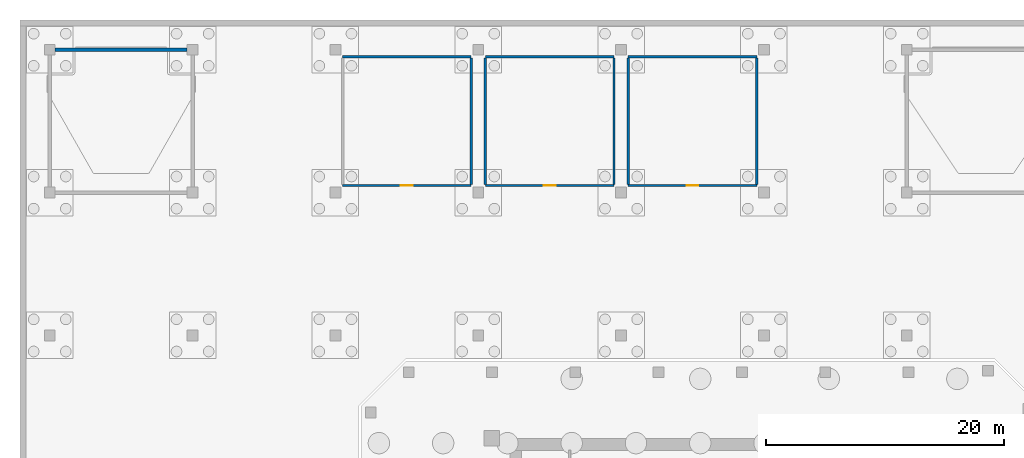
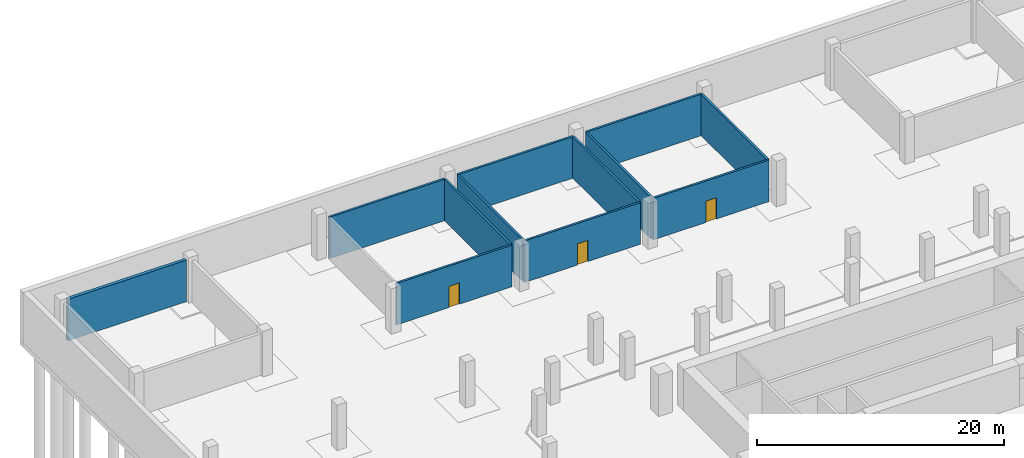
# One storey, part 11 of 15: 12 walls, 3 doors, 3 openings.
"""IFC4 building model written with IfcOpenShell, lengths in metres."""

from ifc_helpers import new_model, si_unit, direction, frame, frame_2d, origin, place, context, subcontext, project, spatial, rectangle, extrude, source, transform, mapped, material, layer, layer_set, type_object, element, fill, save


model = new_model("IFC4")

# Units and contexts
model_context = context("Model", 3, precision=1e-05, world=origin(), true_north=direction((0.0, 1.0)))
body_context = subcontext(model_context, "Body", "Model", "MODEL_VIEW")
ifc_project = project(units=[si_unit("LENGTHUNIT", "METRE"), si_unit("AREAUNIT", "SQUARE_METRE"), si_unit("VOLUMEUNIT", "CUBIC_METRE"), si_unit("PLANEANGLEUNIT", "RADIAN"), si_unit("MASSUNIT", "GRAM", prefix="KILO")], contexts=[model_context])

# Site, building, storey
site_placement = place(None, origin())
site = spatial("IfcSite", under=ifc_project, at=site_placement, CompositionType="ELEMENT")
building_placement = place(site_placement, origin())
building = spatial("IfcBuilding", under=site, at=building_placement, Name="Kilnfold Tower and Market Hall", CompositionType="ELEMENT")
storey_placement = place(building_placement, frame((0.0, 0.0, -9.0)))
storey = spatial("IfcBuildingStorey", under=building, at=storey_placement, Name="B2", CompositionType="ELEMENT", Elevation=-9.0)

# Wall
ifc_material_1 = material(Name="Concrete C50/60", Category="concrete")
ifc_layer_1 = layer(ifc_material_1, 0.300048828125)
ifc_layer_set_1 = layer_set([ifc_layer_1], Name="Concrete C50/60")
wall_type_1 = type_object("IfcWallType", Name="HALL CORE WALL 300", PredefinedType="SHEAR", material=ifc_layer_set_1)
shared_shape_1 = source(origin(), body_context, "Body", "SweptSolid", [
    extrude(rectangle(XDim=11.099853515625, YDim=0.300048828125, at=frame_2d((5.5498046875, 0.0))), origin(), (0.0, 0.0, 1.0), 4.10009765625),
])
wall_1_placement = place(storey_placement, frame((-43.10009765625, 54.64990234375, 0.0), z_axis=(0.0, 0.0, 1.0), x_axis=(-1.0, 0.0, 0.0)))
element("IfcWall", 1, at=wall_1_placement, inside=storey, type_object=wall_type_1, Name="Core wall MH2", PredefinedType="SHEAR", context=body_context, shape_type="MappedRepresentation", body=[
    mapped(shared_shape_1, transform((0.0, 0.0, 0.0))),
])

# Wall, opening, door
ifc_material_2 = material(Name="Concrete block C20", Category="concrete")
ifc_layer_2 = layer(ifc_material_2, 0.199951171875)
ifc_layer_set_2 = layer_set([ifc_layer_2], Name="Concrete block C20")
wall_type_2 = type_object("IfcWallType", Name="CAR PARK ROOM WALL 200", PredefinedType="PARTITIONING", material=ifc_layer_set_2)
shared_shape_2 = source(origin(), body_context, "Body", "SweptSolid", [
    extrude(rectangle(XDim=10.800048828125, YDim=0.199951171875, at=frame_2d((5.39990234375, 0.0))), origin(), (0.0, 0.0, 1.0), 4.10009765625),
])
wall_2_placement = place(storey_placement, frame((-30.050048828125, 43.25, 0.0), z_axis=(0.0, 0.0, 1.0), x_axis=(1.0, 0.0, 0.0)))
wall_2 = element("IfcWall", 2, at=wall_2_placement, inside=storey, type_object=wall_type_2, Name="Water tank room wall south", PredefinedType="PARTITIONING", context=body_context, shape_type="MappedRepresentation", body=[
    mapped(shared_shape_2, transform((0.0, 0.0, 0.0))),
])
opening_1_placement = place(wall_2_placement, frame((4.89990234375, 0.0, 0.0)))
opening_1 = element("IfcOpeningElement", 3, at=opening_1_placement, cuts=wall_2, Name="Opening FD1", PredefinedType="OPENING", context=body_context, shape_type="SweptSolid", body=[
    extrude(rectangle(XDim=1.0, YDim=2.10009765625, at=frame_2d((0.5, 1.050048828125))), frame((0.0, 0.10986328125, 0.0), z_axis=(0.0, -1.0, 0.0), x_axis=(1.0, 0.0, 0.0)), (0.0, 0.0, 1.0), 0.219970703125),
])
ifc_material_3 = material(Name="Steel S355", Category="steel")
door_type = type_object("IfcDoorType", Name="CAR PARK FIRE DOOR 1000X2100", OperationType="NOTDEFINED", PredefinedType="DOOR", material=ifc_material_3)
door_1_placement = place(opening_1_placement, origin())
door_1 = element("IfcDoor", 4, at=door_1_placement, inside=storey, type_object=door_type, Name="Water tank room door", OperationType="SINGLE_SWING_LEFT", OverallHeight=2.10009765625, OverallWidth=1.0, PredefinedType="DOOR", context=body_context, shape_type="SweptSolid", body=[
    extrude(rectangle(XDim=1.0, YDim=2.10009765625, at=frame_2d((0.5, 1.050048828125))), frame((0.0, 0.02490234375, 0.0), z_axis=(0.0, -1.0, 0.0), x_axis=(1.0, 0.0, 0.0)), (0.0, 0.0, 1.0), 0.050048828125),
])
fill(opening_1, door_1)

# Wall
wall_3_placement = place(storey_placement, frame((-30.050048828125, 54.050048828125, 0.0), z_axis=(0.0, 0.0, 1.0), x_axis=(1.0, 0.0, 0.0)))
element("IfcWall", 5, at=wall_3_placement, inside=storey, type_object=wall_type_2, Name="Water tank room wall north", PredefinedType="PARTITIONING", context=body_context, shape_type="MappedRepresentation", body=[
    mapped(shared_shape_2, transform((0.0, 0.0, 0.0))),
])

# Wall, opening, door
wall_4_placement = place(storey_placement, frame((-18.050048828125, 43.25, 0.0), z_axis=(0.0, 0.0, 1.0), x_axis=(1.0, 0.0, 0.0)))
wall_4 = element("IfcWall", 6, at=wall_4_placement, inside=storey, type_object=wall_type_2, Name="Plant room wall south", PredefinedType="PARTITIONING", context=body_context, shape_type="MappedRepresentation", body=[
    mapped(shared_shape_2, transform((0.0, 0.0, 0.0))),
])
opening_2_placement = place(wall_4_placement, frame((4.89990234375, 0.0, 0.0)))
opening_2 = element("IfcOpeningElement", 7, at=opening_2_placement, cuts=wall_4, Name="Opening FD1", PredefinedType="OPENING", context=body_context, shape_type="SweptSolid", body=[
    extrude(rectangle(XDim=1.0, YDim=2.10009765625, at=frame_2d((0.5, 1.050048828125))), frame((0.0, 0.10986328125, 0.0), z_axis=(0.0, -1.0, 0.0), x_axis=(1.0, 0.0, 0.0)), (0.0, 0.0, 1.0), 0.219970703125),
])
door_2_placement = place(opening_2_placement, origin())
door_2 = element("IfcDoor", 8, at=door_2_placement, inside=storey, type_object=door_type, Name="Plant room door", OperationType="SINGLE_SWING_LEFT", OverallHeight=2.10009765625, OverallWidth=1.0, PredefinedType="DOOR", context=body_context, shape_type="SweptSolid", body=[
    extrude(rectangle(XDim=1.0, YDim=2.10009765625, at=frame_2d((0.5, 1.050048828125))), frame((0.0, 0.02490234375, 0.0), z_axis=(0.0, -1.0, 0.0), x_axis=(1.0, 0.0, 0.0)), (0.0, 0.0, 1.0), 0.050048828125),
])
fill(opening_2, door_2)

# Wall
wall_5_placement = place(storey_placement, frame((-18.050048828125, 54.050048828125, 0.0), z_axis=(0.0, 0.0, 1.0), x_axis=(1.0, 0.0, 0.0)))
element("IfcWall", 9, at=wall_5_placement, inside=storey, type_object=wall_type_2, Name="Plant room wall north", PredefinedType="PARTITIONING", context=body_context, shape_type="MappedRepresentation", body=[
    mapped(shared_shape_2, transform((0.0, 0.0, 0.0))),
])

# Wall, opening, door
wall_6_placement = place(storey_placement, frame((-6.050048828125, 43.25, 0.0), z_axis=(0.0, 0.0, 1.0), x_axis=(1.0, 0.0, 0.0)))
wall_6 = element("IfcWall", 10, at=wall_6_placement, inside=storey, type_object=wall_type_2, Name="Storage room wall south", PredefinedType="PARTITIONING", context=body_context, shape_type="MappedRepresentation", body=[
    mapped(shared_shape_2, transform((0.0, 0.0, 0.0))),
])
opening_3_placement = place(wall_6_placement, frame((4.89990234375, 0.0, 0.0)))
opening_3 = element("IfcOpeningElement", 11, at=opening_3_placement, cuts=wall_6, Name="Opening FD1", PredefinedType="OPENING", context=body_context, shape_type="SweptSolid", body=[
    extrude(rectangle(XDim=1.0, YDim=2.10009765625, at=frame_2d((0.5, 1.050048828125))), frame((0.0, 0.10986328125, 0.0), z_axis=(0.0, -1.0, 0.0), x_axis=(1.0, 0.0, 0.0)), (0.0, 0.0, 1.0), 0.219970703125),
])
door_3_placement = place(opening_3_placement, origin())
door_3 = element("IfcDoor", 12, at=door_3_placement, inside=storey, type_object=door_type, Name="Storage room door", OperationType="SINGLE_SWING_LEFT", OverallHeight=2.10009765625, OverallWidth=1.0, PredefinedType="DOOR", context=body_context, shape_type="SweptSolid", body=[
    extrude(rectangle(XDim=1.0, YDim=2.10009765625, at=frame_2d((0.5, 1.050048828125))), frame((0.0, 0.02490234375, 0.0), z_axis=(0.0, -1.0, 0.0), x_axis=(1.0, 0.0, 0.0)), (0.0, 0.0, 1.0), 0.050048828125),
])
fill(opening_3, door_3)

# Walls
wall_7_placement = place(storey_placement, frame((-6.050048828125, 54.050048828125, 0.0), z_axis=(0.0, 0.0, 1.0), x_axis=(1.0, 0.0, 0.0)))
element("IfcWall", 13, at=wall_7_placement, inside=storey, type_object=wall_type_2, Name="Storage room wall north", PredefinedType="PARTITIONING", context=body_context, shape_type="MappedRepresentation", body=[
    mapped(shared_shape_2, transform((0.0, 0.0, 0.0))),
])
shared_shape_3 = source(origin(), body_context, "Body", "SweptSolid", [
    extrude(rectangle(XDim=10.599853515625, YDim=0.199951171875, at=frame_2d((5.2998046875, 0.0))), origin(), (0.0, 0.0, 1.0), 4.10009765625),
])
for number, where, z_axis, x_axis, name in (
    (14, (-19.25, 43.35009765625, 0.0), (0.0, 0.0, 1.0), (0.0, 1.0, 0.0), "Water tank room wall east"),
    (15, (-18.050048828125, 43.35009765625, 0.0), (0.0, 0.0, 1.0), (0.0, 1.0, 0.0), "Plant room wall west"),
    (16, (-7.25, 43.35009765625, 0.0), (0.0, 0.0, 1.0), (0.0, 1.0, 0.0), "Plant room wall east"),
    (17, (-6.050048828125, 43.35009765625, 0.0), (0.0, 0.0, 1.0), (0.0, 1.0, 0.0), "Storage room wall west"),
    (18, (4.75, 43.35009765625, 0.0), (0.0, 0.0, 1.0), (0.0, 1.0, 0.0), "Storage room wall east"),
):
    element("IfcWall", number, at=place(storey_placement, frame(where, z_axis=z_axis, x_axis=x_axis)), inside=storey, type_object=wall_type_2, Name=name, PredefinedType="PARTITIONING", context=body_context, shape_type="MappedRepresentation", body=[
        mapped(shared_shape_3, transform((0.0, 0.0, 0.0))),
    ])

save(model, "model.ifc")
